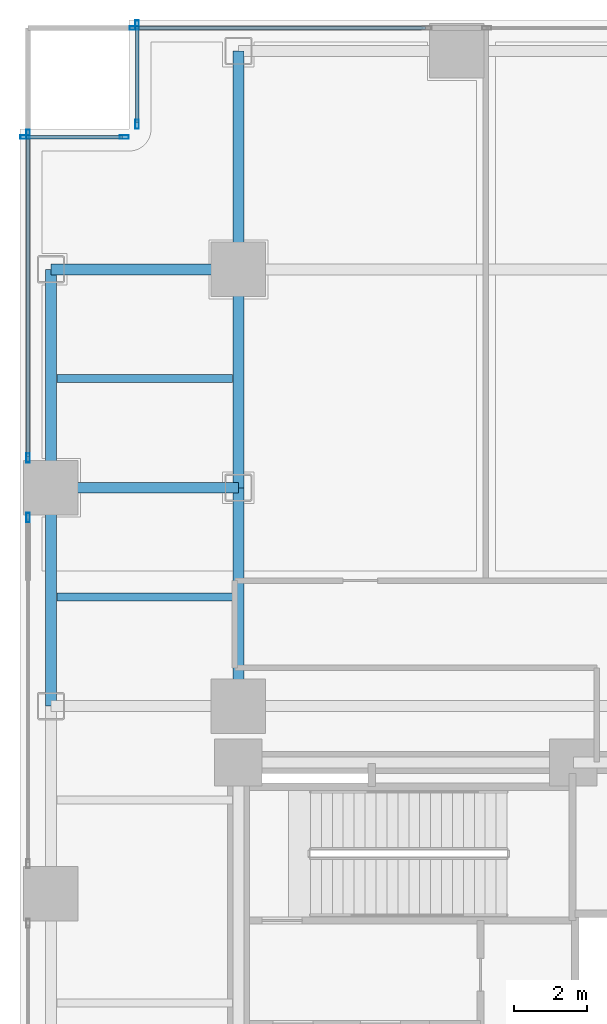
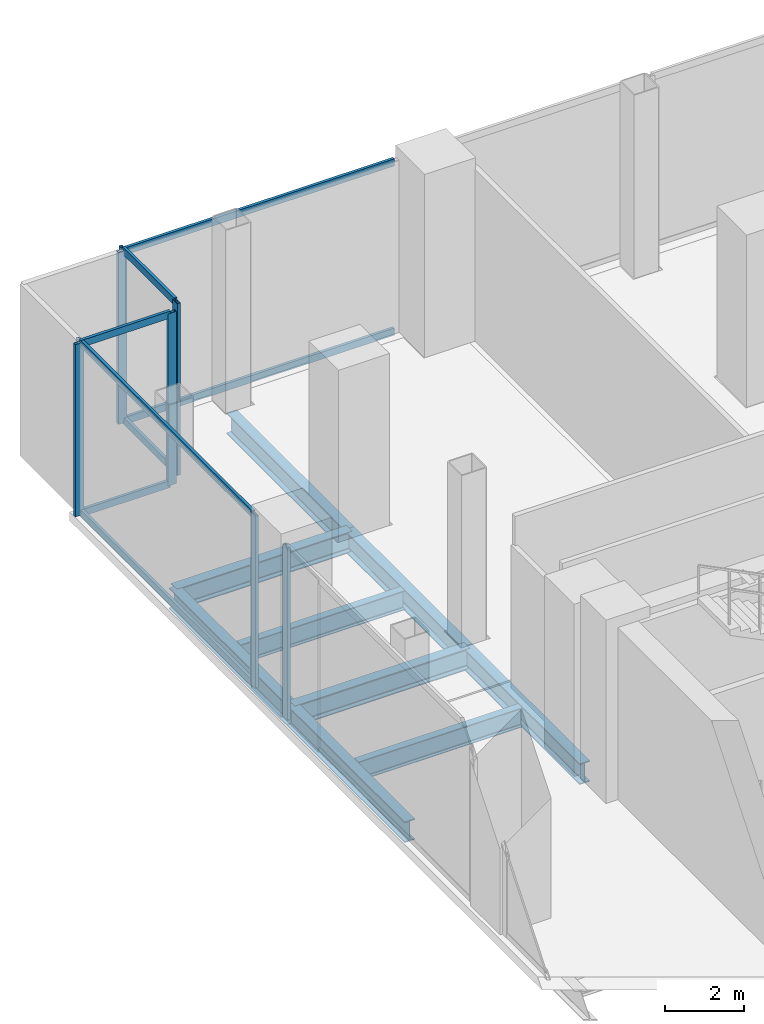
# One storey, part 13 of 27: 16 members, 9 beams, 5 elements without a shape of their own.
"""IFC4 building model written with IfcOpenShell, lengths in metres."""

from ifc_helpers import new_model, si_unit, direction, frame, origin, origin_2d, place, context, subcontext, project, spatial, hollow_rectangle, i_section, extrude, material, layer, layer_set, material_profile, profile_set, type_object, element, aggregate, save


model = new_model("IFC4")

# Units and contexts
model_context = context("Model", 3, precision=1e-05, world=origin(), true_north=direction((0.0, 1.0)))
body_context = subcontext(model_context, "Body", "Model", "MODEL_VIEW")
ifc_project = project(units=[si_unit("LENGTHUNIT", "METRE"), si_unit("AREAUNIT", "SQUARE_METRE"), si_unit("VOLUMEUNIT", "CUBIC_METRE"), si_unit("PLANEANGLEUNIT", "RADIAN"), si_unit("MASSUNIT", "GRAM", prefix="KILO"), si_unit("THERMODYNAMICTEMPERATUREUNIT", "KELVIN"), si_unit("POWERUNIT", "WATT")], contexts=[model_context])

# Site, building, storey
site_placement = place(None, origin())
site = spatial("IfcSite", under=ifc_project, at=site_placement, CompositionType="ELEMENT")
building_placement = place(site_placement, origin())
building = spatial("IfcBuilding", under=site, at=building_placement, Name="Svarakhadi Broadcast Tower", CompositionType="ELEMENT")
storey_placement = place(building_placement, frame((0.0, 0.0, 21.89990234375)))
storey = spatial("IfcBuildingStorey", under=building, at=storey_placement, Name="L04", CompositionType="ELEMENT", Elevation=21.89990234375)

# Beams
ifc_material_1 = material(Name="Steel S355J2 (IS 2062 E350C)", Category="steel")
ifc_material_profile_1 = material_profile(ifc_material_1, i_section(OverallWidth=0.219970703125, OverallDepth=0.60009765625, WebThickness=0.011962890625, FlangeThickness=0.01904296875, FilletRadius=0.02392578125, at=origin_2d()), Name="NPB 600x220x122")
ifc_profile_set_1 = profile_set([ifc_material_profile_1], Name="Steel S355J2 (IS 2062 E350C)")
beam_type_1 = type_object("IfcBeamType", Name="Beam_NPB600", PredefinedType="BEAM", material=ifc_profile_set_1)
for number, where, z_axis, x_axis, name in (
    (1, (1.010009765625, 32.14990234375, -0.574951171875), (1.0, 0.0, 0.0), (0.0, 1.0, 0.0), "L04 Secondary Composite Beam SB005"),
    (2, (1.010009765625, 38.14990234375, -0.574951171875), (1.0, 0.0, 0.0), (0.0, 1.0, 0.0), "L04 Secondary Composite Beam SB006"),
):
    element("IfcBeam", number, at=place(storey_placement, frame(where, z_axis=z_axis, x_axis=x_axis)), inside=storey, type_object=beam_type_1, Name=name, PredefinedType="BEAM", context=body_context, shape_type="SweptSolid", body=[
        extrude(i_section(OverallWidth=0.219970703125, OverallDepth=0.60009765625, WebThickness=0.011962890625, FlangeThickness=0.01904296875, FilletRadius=0.02392578125, at=origin_2d()), origin(), (0.0, 0.0, 1.0), 4.830078125),
    ])

# Curtain wall, member
ifc_material_2 = material(Name="Anodised Bronze Aluminium AA 6063-T6", Category="aluminium")
ifc_layer = layer(ifc_material_2, 0.25)
ifc_layer_set = layer_set([ifc_layer], Name="Anodised Bronze Aluminium AA 6063-T6")
curtain_wall_type = type_object("IfcCurtainWallType", Name="CW_Sys_01", PredefinedType="NOTDEFINED", material=ifc_layer_set)
curtain_wall_1_placement = place(storey_placement, origin())
curtain_wall_1 = element("IfcCurtainWall", 3, at=curtain_wall_1_placement, inside=storey, type_object=curtain_wall_type, Name="L04 Unitised Facade Curtain Wall 02 Bay 3", PredefinedType="NOTDEFINED")
ifc_material_profile_2 = material_profile(ifc_material_2, hollow_rectangle(XDim=0.094970703125, YDim=0.25, WallThickness=0.006103515625, at=origin_2d()), Name="ALU MULLION 250x95x6")
ifc_profile_set_2 = profile_set([ifc_material_profile_2], Name="Anodised Bronze Aluminium AA 6063-T6")
member_type_1 = type_object("IfcMemberType", Name="CW_Sys_01_Mul", PredefinedType="MULLION", material=ifc_profile_set_2)
member_1_placement = place(storey_placement, frame((0.219970703125, 34.33251953125, 0.0), z_axis=(0.0, 0.0, 1.0), x_axis=(-1.0, 0.0, 0.0)))
member_1 = element("IfcMember", 4, at=member_1_placement, type_object=member_type_1, Name="CW-01 mullion 2", PredefinedType="MULLION", context=body_context, shape_type="SweptSolid", body=[
    extrude(hollow_rectangle(XDim=0.094970703125, YDim=0.25, WallThickness=0.006103515625, at=origin_2d()), origin(), (0.0, 0.0, 1.0), 5.35009765625),
])
aggregate(curtain_wall_1, [member_1])

# Curtain wall, members
curtain_wall_2_placement = place(storey_placement, origin())
curtain_wall_2 = element("IfcCurtainWall", 5, at=curtain_wall_2_placement, inside=storey, type_object=curtain_wall_type, Name="L04 Unitised Facade Curtain Wall 02 Bay 4", PredefinedType="NOTDEFINED")
member_2_placement = place(storey_placement, frame((0.219970703125, 35.967529296875, 0.0), z_axis=(0.0, 0.0, 1.0), x_axis=(-1.0, 0.0, 0.0)))
member_2 = element("IfcMember", 6, at=member_2_placement, type_object=member_type_1, Name="CW-01 mullion 1", PredefinedType="MULLION", context=body_context, shape_type="SweptSolid", body=[
    extrude(hollow_rectangle(XDim=0.094970703125, YDim=0.25, WallThickness=0.006103515625, at=origin_2d()), origin(), (0.0, 0.0, 1.0), 5.35009765625),
])
member_3_placement = place(storey_placement, frame((0.219970703125, 44.862548828125, 0.0), z_axis=(0.0, 0.0, 1.0), x_axis=(-1.0, 0.0, 0.0)))
member_3 = element("IfcMember", 7, at=member_3_placement, type_object=member_type_1, Name="CW-01 mullion 2", PredefinedType="MULLION", context=body_context, shape_type="SweptSolid", body=[
    extrude(hollow_rectangle(XDim=0.094970703125, YDim=0.25, WallThickness=0.006103515625, at=origin_2d()), origin(), (0.0, 0.0, 1.0), 5.35009765625),
])

curtain_wall_3_placement = place(storey_placement, origin())
curtain_wall_3 = element("IfcCurtainWall", 8, at=curtain_wall_3_placement, inside=storey, type_object=curtain_wall_type, Name="L04 Unitised Facade Curtain Wall 03", PredefinedType="NOTDEFINED")
member_4_placement = place(storey_placement, frame((0.137451171875, 44.780029296875, 0.0), z_axis=(0.0, 0.0, 1.0), x_axis=(0.0, 1.0, 0.0)))
member_4 = element("IfcMember", 9, at=member_4_placement, type_object=member_type_1, Name="CW-01 mullion 1", PredefinedType="MULLION", context=body_context, shape_type="SweptSolid", body=[
    extrude(hollow_rectangle(XDim=0.094970703125, YDim=0.25, WallThickness=0.006103515625, at=origin_2d()), origin(), (0.0, 0.0, 1.0), 5.35009765625),
])
member_5_placement = place(storey_placement, frame((2.862548828125, 44.780029296875, 0.0), z_axis=(0.0, 0.0, 1.0), x_axis=(0.0, 1.0, 0.0)))
member_5 = element("IfcMember", 10, at=member_5_placement, type_object=member_type_1, Name="CW-01 mullion 2", PredefinedType="MULLION", context=body_context, shape_type="SweptSolid", body=[
    extrude(hollow_rectangle(XDim=0.094970703125, YDim=0.25, WallThickness=0.006103515625, at=origin_2d()), origin(), (0.0, 0.0, 1.0), 5.35009765625),
])

curtain_wall_4_placement = place(storey_placement, origin())
curtain_wall_4 = element("IfcCurtainWall", 11, at=curtain_wall_4_placement, inside=storey, type_object=curtain_wall_type, Name="L04 Unitised Facade Curtain Wall 04", PredefinedType="NOTDEFINED")
member_6_placement = place(storey_placement, frame((3.219970703125, 45.137451171875, 0.0), z_axis=(0.0, 0.0, 1.0), x_axis=(-1.0, 0.0, 0.0)))
member_6 = element("IfcMember", 12, at=member_6_placement, type_object=member_type_1, Name="CW-01 mullion 1", PredefinedType="MULLION", context=body_context, shape_type="SweptSolid", body=[
    extrude(hollow_rectangle(XDim=0.094970703125, YDim=0.25, WallThickness=0.006103515625, at=origin_2d()), origin(), (0.0, 0.0, 1.0), 5.35009765625),
])
member_7_placement = place(storey_placement, frame((3.219970703125, 47.862548828125, 0.0), z_axis=(0.0, 0.0, 1.0), x_axis=(-1.0, 0.0, 0.0)))
member_7 = element("IfcMember", 13, at=member_7_placement, type_object=member_type_1, Name="CW-01 mullion 2", PredefinedType="MULLION", context=body_context, shape_type="SweptSolid", body=[
    extrude(hollow_rectangle(XDim=0.094970703125, YDim=0.25, WallThickness=0.006103515625, at=origin_2d()), origin(), (0.0, 0.0, 1.0), 5.35009765625),
])

# Curtain wall, member
curtain_wall_5_placement = place(storey_placement, origin())
curtain_wall_5 = element("IfcCurtainWall", 14, at=curtain_wall_5_placement, inside=storey, type_object=curtain_wall_type, Name="L04 Unitised Facade Curtain Wall 05 Bay 1", PredefinedType="NOTDEFINED")
member_8_placement = place(storey_placement, frame((3.137451171875, 47.780029296875, 0.0), z_axis=(0.0, 0.0, 1.0), x_axis=(0.0, 1.0, 0.0)))
member_8 = element("IfcMember", 15, at=member_8_placement, type_object=member_type_1, Name="CW-01 mullion 1", PredefinedType="MULLION", context=body_context, shape_type="SweptSolid", body=[
    extrude(hollow_rectangle(XDim=0.094970703125, YDim=0.25, WallThickness=0.006103515625, at=origin_2d()), origin(), (0.0, 0.0, 1.0), 5.35009765625),
])

# Member
ifc_material_profile_3 = material_profile(ifc_material_2, hollow_rectangle(XDim=0.0849609375, YDim=0.219970703125, WallThickness=0.0048828125, at=origin_2d()), Name="ALU TRANSOM 220x85x5")
ifc_profile_set_3 = profile_set([ifc_material_profile_3], Name="Anodised Bronze Aluminium AA 6063-T6")
member_type_2 = type_object("IfcMemberType", Name="CW_Sys_01_Trn", PredefinedType="USERDEFINED", material=ifc_profile_set_3)
member_9_placement = place(storey_placement, frame((0.219970703125, 36.014892578125, 0.04248046875), z_axis=(0.0, 1.0, 0.0), x_axis=(-1.0, 0.0, 0.0)))
member_9 = element("IfcMember", 16, at=member_9_placement, type_object=member_type_2, Name="CW-01 transom 1.1", ObjectType="TRANSOM", PredefinedType="USERDEFINED", context=body_context, shape_type="SweptSolid", body=[
    extrude(hollow_rectangle(XDim=0.0849609375, YDim=0.219970703125, WallThickness=0.0048828125, at=origin_2d()), origin(), (0.0, 0.0, 1.0), 8.800048828125),
])

member_10_placement = place(storey_placement, frame((0.219970703125, 36.014892578125, 5.3076171875), z_axis=(0.0, 1.0, 0.0), x_axis=(-1.0, 0.0, 0.0)))
member_10 = element("IfcMember", 17, at=member_10_placement, type_object=member_type_2, Name="CW-01 transom 1.2", ObjectType="TRANSOM", PredefinedType="USERDEFINED", context=body_context, shape_type="SweptSolid", body=[
    extrude(hollow_rectangle(XDim=0.0849609375, YDim=0.219970703125, WallThickness=0.0048828125, at=origin_2d()), origin(), (0.0, 0.0, 1.0), 8.800048828125),
])

aggregate(curtain_wall_2, [member_2, member_3, member_9, member_10])

member_11_placement = place(storey_placement, frame((0.18505859375, 44.780029296875, 0.04248046875), z_axis=(1.0, 0.0, 0.0), x_axis=(0.0, 1.0, 0.0)))
member_11 = element("IfcMember", 18, at=member_11_placement, type_object=member_type_2, Name="CW-01 transom 1.1", ObjectType="TRANSOM", PredefinedType="USERDEFINED", context=body_context, shape_type="SweptSolid", body=[
    extrude(hollow_rectangle(XDim=0.0849609375, YDim=0.219970703125, WallThickness=0.0048828125, at=origin_2d()), origin(), (0.0, 0.0, 1.0), 2.6298828125),
])

member_12_placement = place(storey_placement, frame((0.18505859375, 44.780029296875, 5.3076171875), z_axis=(1.0, 0.0, 0.0), x_axis=(0.0, 1.0, 0.0)))
member_12 = element("IfcMember", 19, at=member_12_placement, type_object=member_type_2, Name="CW-01 transom 1.2", ObjectType="TRANSOM", PredefinedType="USERDEFINED", context=body_context, shape_type="SweptSolid", body=[
    extrude(hollow_rectangle(XDim=0.0849609375, YDim=0.219970703125, WallThickness=0.0048828125, at=origin_2d()), origin(), (0.0, 0.0, 1.0), 2.6298828125),
])

aggregate(curtain_wall_3, [member_4, member_5, member_11, member_12])

member_13_placement = place(storey_placement, frame((3.219970703125, 45.18505859375, 0.04248046875), z_axis=(0.0, 1.0, 0.0), x_axis=(-1.0, 0.0, 0.0)))
member_13 = element("IfcMember", 20, at=member_13_placement, type_object=member_type_2, Name="CW-01 transom 1.1", ObjectType="TRANSOM", PredefinedType="USERDEFINED", context=body_context, shape_type="SweptSolid", body=[
    extrude(hollow_rectangle(XDim=0.0849609375, YDim=0.219970703125, WallThickness=0.0048828125, at=origin_2d()), origin(), (0.0, 0.0, 1.0), 2.6298828125),
])

member_14_placement = place(storey_placement, frame((3.219970703125, 45.18505859375, 5.3076171875), z_axis=(0.0, 1.0, 0.0), x_axis=(-1.0, 0.0, 0.0)))
member_14 = element("IfcMember", 21, at=member_14_placement, type_object=member_type_2, Name="CW-01 transom 1.2", ObjectType="TRANSOM", PredefinedType="USERDEFINED", context=body_context, shape_type="SweptSolid", body=[
    extrude(hollow_rectangle(XDim=0.0849609375, YDim=0.219970703125, WallThickness=0.0048828125, at=origin_2d()), origin(), (0.0, 0.0, 1.0), 2.6298828125),
])

aggregate(curtain_wall_4, [member_6, member_7, member_13, member_14])

member_15_placement = place(storey_placement, frame((3.18505859375, 47.780029296875, 0.04248046875), z_axis=(1.0, 0.0, 0.0), x_axis=(0.0, 1.0, 0.0)))
member_15 = element("IfcMember", 22, at=member_15_placement, type_object=member_type_2, Name="CW-01 transom 1.1", ObjectType="TRANSOM", PredefinedType="USERDEFINED", context=body_context, shape_type="SweptSolid", body=[
    extrude(hollow_rectangle(XDim=0.0849609375, YDim=0.219970703125, WallThickness=0.0048828125, at=origin_2d()), origin(), (0.0, 0.0, 1.0), 7.949951171875),
])

member_16_placement = place(storey_placement, frame((3.18505859375, 47.780029296875, 5.3076171875), z_axis=(1.0, 0.0, 0.0), x_axis=(0.0, 1.0, 0.0)))
member_16 = element("IfcMember", 23, at=member_16_placement, type_object=member_type_2, Name="CW-01 transom 1.2", ObjectType="TRANSOM", PredefinedType="USERDEFINED", context=body_context, shape_type="SweptSolid", body=[
    extrude(hollow_rectangle(XDim=0.0849609375, YDim=0.219970703125, WallThickness=0.0048828125, at=origin_2d()), origin(), (0.0, 0.0, 1.0), 7.949951171875),
])

aggregate(curtain_wall_5, [member_8, member_15, member_16])

# Beams
ifc_material_profile_4 = material_profile(ifc_material_1, i_section(OverallWidth=0.300048828125, OverallDepth=0.64990234375, WebThickness=0.01611328125, FlangeThickness=0.031005859375, FilletRadius=0.027099609375, at=origin_2d()), Name="WPB 650x300x225")
ifc_profile_set_4 = profile_set([ifc_material_profile_4], Name="Steel S355J2 (IS 2062 E350C)")
beam_type_2 = type_object("IfcBeamType", Name="Girder_WPB650", PredefinedType="USERDEFINED", material=ifc_profile_set_4)
for number, where, z_axis, x_axis, name in (
    (24, (0.85009765625, 35.14990234375, -0.599853515625), (1.0, 0.0, 0.0), (0.0, 1.0, 0.0), "L04 Primary E-W Girder G037"),
    (25, (0.85009765625, 41.14990234375, -0.599853515625), (1.0, 0.0, 0.0), (0.0, 1.0, 0.0), "L04 Primary E-W Girder G040"),
):
    element("IfcBeam", number, at=place(storey_placement, frame(where, z_axis=z_axis, x_axis=x_axis)), inside=storey, type_object=beam_type_2, Name=name, ObjectType="GIRDER", PredefinedType="USERDEFINED", context=body_context, shape_type="SweptSolid", body=[
        extrude(i_section(OverallWidth=0.300048828125, OverallDepth=0.64990234375, WebThickness=0.01611328125, FlangeThickness=0.031005859375, FilletRadius=0.027099609375, at=origin_2d()), origin(), (0.0, 0.0, 1.0), 5.14990234375),
    ])
for number, where, z_axis, x_axis, name in (
    (26, (0.85009765625, 29.14990234375, -0.599853515625), (0.0, 1.0, 0.0), (-1.0, 0.0, 0.0), "L04 Primary N-S Girder G048"),
    (27, (0.85009765625, 35.14990234375, -0.599853515625), (0.0, 1.0, 0.0), (-1.0, 0.0, 0.0), "L04 Primary N-S Girder G049"),
    (28, (6.0, 29.14990234375, -0.599853515625), (0.0, 1.0, 0.0), (-1.0, 0.0, 0.0), "L04 Primary N-S Girder G054"),
    (29, (6.0, 35.14990234375, -0.599853515625), (0.0, 1.0, 0.0), (-1.0, 0.0, 0.0), "L04 Primary N-S Girder G055"),
    (30, (6.0, 41.14990234375, -0.599853515625), (0.0, 1.0, 0.0), (-1.0, 0.0, 0.0), "L04 Primary N-S Girder G056"),
):
    element("IfcBeam", number, at=place(storey_placement, frame(where, z_axis=z_axis, x_axis=x_axis)), inside=storey, type_object=beam_type_2, Name=name, ObjectType="GIRDER", PredefinedType="USERDEFINED", context=body_context, shape_type="SweptSolid", body=[
        extrude(i_section(OverallWidth=0.300048828125, OverallDepth=0.64990234375, WebThickness=0.01611328125, FlangeThickness=0.031005859375, FilletRadius=0.027099609375, at=origin_2d()), origin(), (0.0, 0.0, 1.0), 6.0),
    ])

save(model, "model.ifc")
